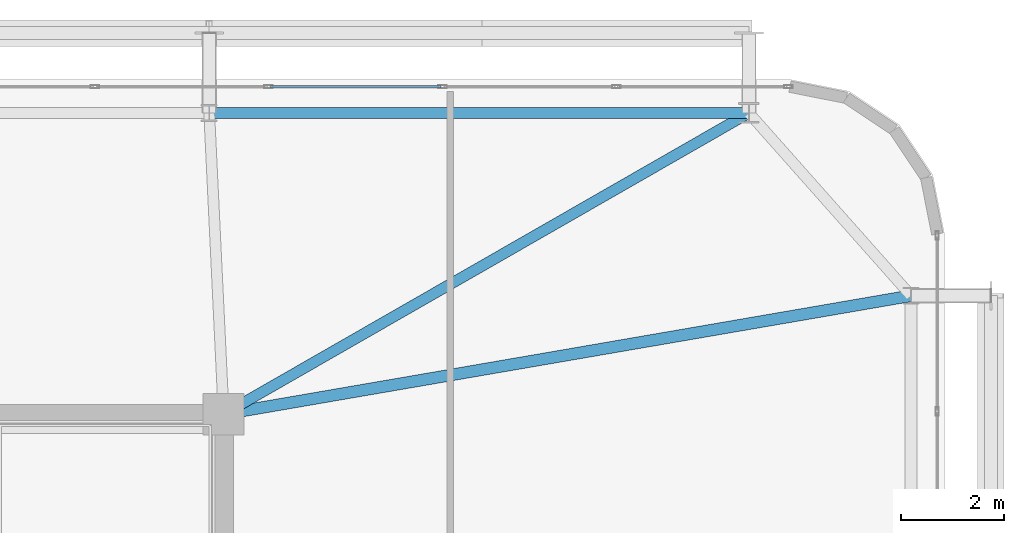
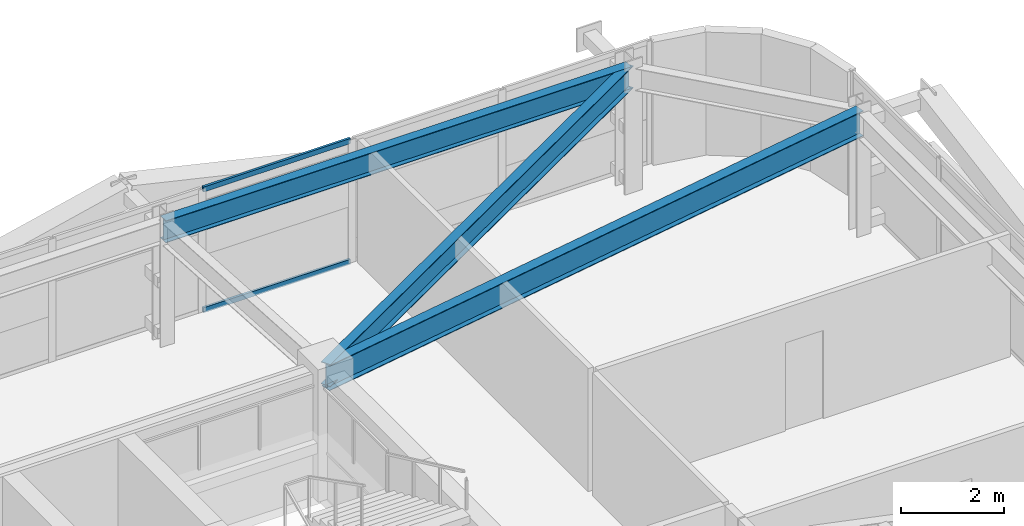
# One storey, part 39 of 59: 3 beams, 2 members, 1 element without a shape of its own.
"""IFC4 building model written with IfcOpenShell, lengths in metres."""

from ifc_helpers import new_model, si_unit, direction, frame, origin, origin_2d, place, context, subcontext, project, spatial, hollow_rectangle, i_section, extrude, source, transform, mapped, material, layer, layer_set, material_profile, profile_set, type_object, element, aggregate, save


model = new_model("IFC4")

# Units and contexts
model_context = context("Model", 3, precision=1e-05, world=origin(), true_north=direction((0.0, 1.0)))
body_context = subcontext(model_context, "Body", "Model", "MODEL_VIEW")
ifc_project = project(units=[si_unit("LENGTHUNIT", "METRE"), si_unit("AREAUNIT", "SQUARE_METRE"), si_unit("VOLUMEUNIT", "CUBIC_METRE"), si_unit("PLANEANGLEUNIT", "RADIAN"), si_unit("MASSUNIT", "GRAM", prefix="KILO")], contexts=[model_context])

# Site, building, storey
site_placement = place(None, origin())
site = spatial("IfcSite", under=ifc_project, at=site_placement, CompositionType="ELEMENT")
building_placement = place(site_placement, origin())
building = spatial("IfcBuilding", under=site, at=building_placement, Name="Taldren Reach Tower", CompositionType="ELEMENT")
storey_placement = place(building_placement, frame((0.0, 0.0, 26.25)))
storey = spatial("IfcBuildingStorey", under=building, at=storey_placement, Name="L07", CompositionType="ELEMENT", Elevation=26.25)

# Beams
ifc_material_1 = material(Name="Steel Gr 350 (350PLUS)", Category="steel")
ifc_material_profile_1 = material_profile(ifc_material_1, i_section(OverallWidth=0.208984375, OverallDepth=0.528076171875, WebThickness=0.009521484375, FlangeThickness=0.01318359375, at=origin_2d()), Name="530UB82.0")
ifc_profile_set_1 = profile_set([ifc_material_profile_1], Name="Steel Gr 350 (350PLUS)")
beam_type_1 = type_object("IfcBeamType", Name="SP-UB530B", PredefinedType="SPANDREL", material=ifc_profile_set_1)
shared_shape_1 = source(origin(), body_context, "Body", "SweptSolid", [
    extrude(i_section(OverallWidth=0.208984375, OverallDepth=0.528076171875, WebThickness=0.009521484375, FlangeThickness=0.01318359375, at=origin_2d()), origin(), (0.0, 0.0, 1.0), 10.47998046875),
])
beam_1_placement = place(storey_placement, frame((61.199951171875, 37.85009765625, 2.666015625), z_axis=(-1.0, 0.0, 0.0), x_axis=(0.0, -1.0, 0.0)))
element("IfcBeam", 1, at=beam_1_placement, inside=storey, type_object=beam_type_1, Name="Perimeter spandrel B1 N6-N5 L07", PredefinedType="SPANDREL", context=body_context, shape_type="MappedRepresentation", body=[
    mapped(shared_shape_1, transform((0.0, 0.0, 0.0), scale=1.0)),
])
ifc_material_profile_2 = material_profile(ifc_material_1, i_section(OverallWidth=0.22802734375, OverallDepth=0.60205078125, WebThickness=0.010498046875, FlangeThickness=0.014892578125, at=origin_2d()), Name="610UB101")
ifc_profile_set_2 = profile_set([ifc_material_profile_2], Name="Steel Gr 350 (350PLUS)")
beam_type_2 = type_object("IfcBeamType", Name="BM-UB610B", PredefinedType="BEAM", material=ifc_profile_set_2)
shared_shape_2 = source(origin(), body_context, "Body", "SweptSolid", [
    extrude(i_section(OverallWidth=0.22802734375, OverallDepth=0.60205078125, WebThickness=0.010498046875, FlangeThickness=0.014892578125, at=origin_2d()), origin(), (0.0, 0.0, 1.0), 13.546875),
])
beam_2_placement = place(storey_placement, frame((51.0, 32.0, 2.62890625), z_axis=(0.985481022998, 0.169785609847, 0.0), x_axis=(-0.169785609847, 0.985481022998, 0.0)))
element("IfcBeam", 2, at=beam_2_placement, inside=storey, type_object=beam_type_2, Name="Primary floor girder B1-E3 L07", PredefinedType="BEAM", context=body_context, shape_type="MappedRepresentation", body=[
    mapped(shared_shape_2, transform((0.0, 0.0, 0.0), scale=1.0)),
])
ifc_material_profile_3 = material_profile(ifc_material_1, i_section(OverallWidth=0.208984375, OverallDepth=0.532958984375, WebThickness=0.01025390625, FlangeThickness=0.015625, at=origin_2d()), Name="530UB92.4")
ifc_profile_set_3 = profile_set([ifc_material_profile_3], Name="Steel Gr 350 (350PLUS)")
beam_type_3 = type_object("IfcBeamType", Name="BM-UB530A", PredefinedType="BEAM", material=ifc_profile_set_3)
shared_shape_3 = source(origin(), body_context, "Body", "SweptSolid", [
    extrude(i_section(OverallWidth=0.208984375, OverallDepth=0.532958984375, WebThickness=0.01025390625, FlangeThickness=0.015625, at=origin_2d()), origin(), (0.0, 0.0, 1.0), 11.758544921875),
])
beam_3_placement = place(storey_placement, frame((51.0, 32.0, 2.66357421875), z_axis=(0.867452414141, 0.497520159593, 0.0), x_axis=(-0.497520159593, 0.867452414141, 0.0)))
element("IfcBeam", 3, at=beam_3_placement, inside=storey, type_object=beam_type_3, Name="Primary floor girder B1-N6 L07", PredefinedType="BEAM", context=body_context, shape_type="MappedRepresentation", body=[
    mapped(shared_shape_3, transform((0.0, 0.0, 0.0), scale=1.0)),
])

# Curtain wall, members
ifc_material_2 = material(Name="Aluminium and Low-E Glass Unitised System", Category="aluminium")
ifc_layer = layer(ifc_material_2, 0.159912109375)
ifc_layer_set = layer_set([ifc_layer], Name="Aluminium and Low-E Glass Unitised System")
curtain_wall_type = type_object("IfcCurtainWallType", Name="CW-SYS-2", PredefinedType="NOTDEFINED", material=ifc_layer_set)
curtain_wall_placement = place(storey_placement, origin())
curtain_wall = element("IfcCurtainWall", 4, at=curtain_wall_placement, inside=storey, type_object=curtain_wall_type, Name="Unitised curtain wall CW-L07-N", PredefinedType="NOTDEFINED")
ifc_material_3 = material(Name="Anodised Aluminium 6063-T6", Category="aluminium")
ifc_material_profile_4 = material_profile(ifc_material_3, hollow_rectangle(XDim=0.054931640625, YDim=0.1201171875, WallThickness=0.0029296875, at=origin_2d()), Name="ALU-120x55x3RHS")
ifc_profile_set_4 = profile_set([ifc_material_profile_4], Name="Anodised Aluminium 6063-T6")
member_type = type_object("IfcMemberType", Name="CW-TRN-135", PredefinedType="USERDEFINED", material=ifc_profile_set_4)
shared_shape_4 = source(origin(), body_context, "Body", "SweptSolid", [
    extrude(hollow_rectangle(XDim=0.054931640625, YDim=0.1201171875, WallThickness=0.0029296875, at=origin_2d()), origin(), (0.0, 0.0, 1.0), 3.31005859375),
])
member_1_placement = place(storey_placement, frame((55.217529296875, 38.360107421875, 0.027587890625), z_axis=(-1.0, 0.0, 0.0), x_axis=(0.0, -1.0, 0.0)))
member_1 = element("IfcMember", 5, at=member_1_placement, type_object=member_type, Name="CW-2 transom 3.1", ObjectType="TRANSOM", PredefinedType="USERDEFINED", context=body_context, shape_type="MappedRepresentation", body=[
    mapped(shared_shape_4, transform((0.0, 0.0, 0.0), scale=1.0)),
])
member_2_placement = place(storey_placement, frame((55.217529296875, 38.360107421875, 2.902587890625), z_axis=(-1.0, 0.0, 0.0), x_axis=(0.0, -1.0, 0.0)))
member_2 = element("IfcMember", 6, at=member_2_placement, type_object=member_type, Name="CW-2 transom 3.2", ObjectType="TRANSOM", PredefinedType="USERDEFINED", context=body_context, shape_type="MappedRepresentation", body=[
    mapped(shared_shape_4, transform((0.0, 0.0, 0.0), scale=1.0)),
])
aggregate(curtain_wall, [member_1, member_2])

save(model, "model.ifc")
